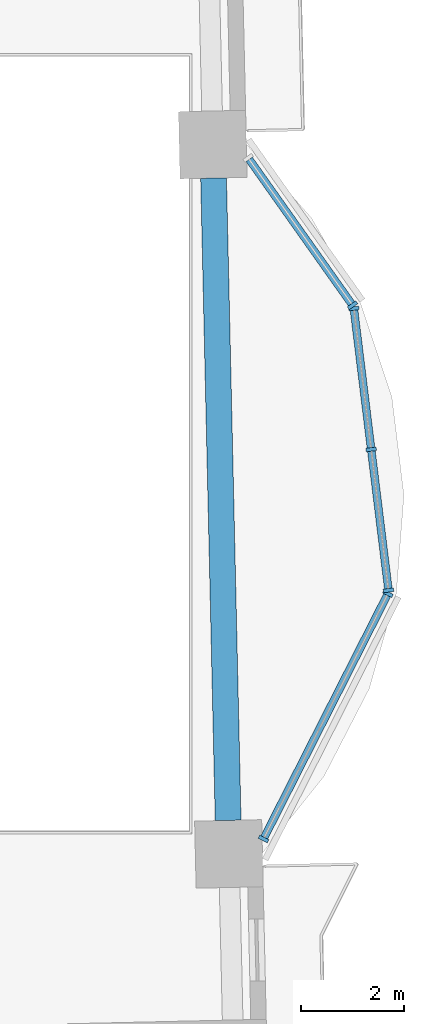
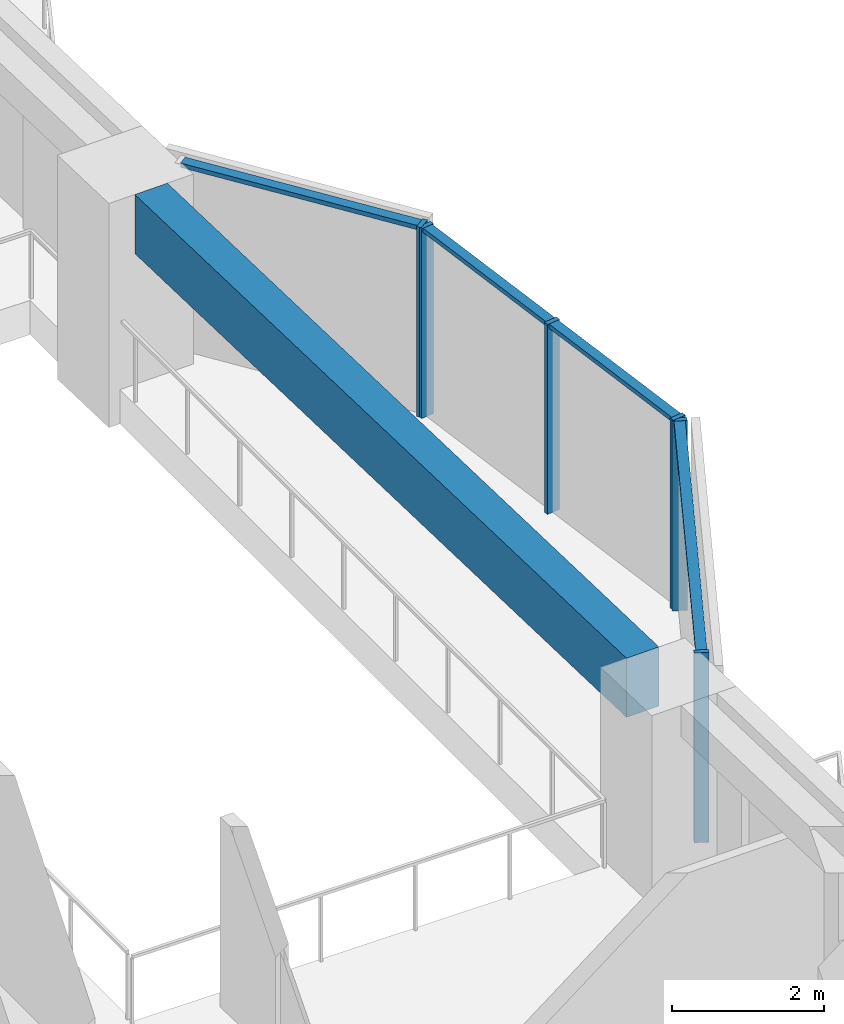
# One storey, part 2 of 16: 10 members, 1 beam, 3 elements without a shape of their own.
"""IFC4 building model written with IfcOpenShell, lengths in metres."""

from ifc_helpers import new_model, si_unit, direction, frame, origin, origin_2d, place, context, subcontext, project, spatial, rectangle, extrude, material, material_profile, profile_set, type_object, element, aggregate, save


model = new_model("IFC4")

# Units and contexts
model_context = context("Model", 3, precision=1e-05, world=origin(), true_north=direction((0.0, 1.0)))
body_context = subcontext(model_context, "Body", "Model", "MODEL_VIEW")
ifc_project = project(units=[si_unit("LENGTHUNIT", "METRE"), si_unit("AREAUNIT", "SQUARE_METRE"), si_unit("VOLUMEUNIT", "CUBIC_METRE"), si_unit("PLANEANGLEUNIT", "RADIAN"), si_unit("MASSUNIT", "GRAM", prefix="KILO")], contexts=[model_context])

# Site, building, storey
site_placement = place(None, origin())
site = spatial("IfcSite", under=ifc_project, at=site_placement, CompositionType="ELEMENT")
building_placement = place(site_placement, origin())
building = spatial("IfcBuilding", under=site, at=building_placement, Name="Mangrove Gate Tower", CompositionType="ELEMENT")
storey_placement = place(building_placement, frame((0.0, 0.0, 137.300048828125)))
storey = spatial("IfcBuildingStorey", under=building, at=storey_placement, Name="L34", CompositionType="ELEMENT", Elevation=137.300048828125)

# Curtain wall, members
ifc_material_1 = material(Name="Aluminium and glass curtain wall", Category="aluminium")
curtain_wall_type = type_object("IfcCurtainWallType", Name="Atrium garden-court glazing wall", PredefinedType="NOTDEFINED", material=ifc_material_1)
curtain_wall_1_placement = place(storey_placement, origin())
curtain_wall_1 = element("IfcCurtainWall", 1, at=curtain_wall_1_placement, inside=storey, type_object=curtain_wall_type, Name="Atrium garden-court glazing E1f1", PredefinedType="NOTDEFINED")
ifc_material_2 = material(Name="Aluminium alloy 6063-T6", Category="aluminium")
ifc_material_profile_1 = material_profile(ifc_material_2, rectangle(XDim=0.070068359375, YDim=0.199951171875, at=origin_2d()))
ifc_profile_set_1 = profile_set([ifc_material_profile_1], Name="Aluminium alloy 6063-T6")
member_type_1 = type_object("IfcMemberType", Name="Atrium garden-court glazing mullion 70x200", PredefinedType="MULLION", material=ifc_profile_set_1)
member_1_placement = place(storey_placement, frame((24.441162109375, -7.660400390625, 0.0), z_axis=(0.0, 0.0, 1.0), x_axis=(0.452614630938, 0.891706227331, 0.0)))
member_1 = element("IfcMember", 2, at=member_1_placement, type_object=member_type_1, Name="CWA mullion 1", PredefinedType="MULLION", context=body_context, shape_type="SweptSolid", body=[
    extrude(rectangle(XDim=0.070068359375, YDim=0.199951171875, at=origin_2d()), origin(), (0.0, 0.0, 1.0), 3.050048828125),
])
member_2_placement = place(storey_placement, frame((26.85302734375, -2.908935546875, 0.0), z_axis=(0.0, 0.0, 1.0), x_axis=(0.452614630938, 0.891706227331, 0.0)))
member_2 = element("IfcMember", 3, at=member_2_placement, type_object=member_type_1, Name="CWA mullion 2", PredefinedType="MULLION", context=body_context, shape_type="SweptSolid", body=[
    extrude(rectangle(XDim=0.070068359375, YDim=0.199951171875, at=origin_2d()), origin(), (0.0, 0.0, 1.0), 3.050048828125),
])

curtain_wall_2_placement = place(storey_placement, origin())
curtain_wall_2 = element("IfcCurtainWall", 4, at=curtain_wall_2_placement, inside=storey, type_object=curtain_wall_type, Name="Atrium garden-court glazing E1f2", PredefinedType="NOTDEFINED")
member_3_placement = place(storey_placement, frame((26.864501953125, -2.843017578125, 0.0), z_axis=(0.0, 0.0, 1.0), x_axis=(-0.122172285885, 0.992508908051, 0.0)))
member_3 = element("IfcMember", 5, at=member_3_placement, type_object=member_type_1, Name="CWA mullion 1", PredefinedType="MULLION", context=body_context, shape_type="SweptSolid", body=[
    extrude(rectangle(XDim=0.070068359375, YDim=0.199951171875, at=origin_2d()), origin(), (0.0, 0.0, 1.0), 3.050048828125),
])
member_4_placement = place(storey_placement, frame((26.5283203125, -0.112060546875, 0.0), z_axis=(0.0, 0.0, 1.0), x_axis=(-0.122172285885, 0.992508908051, 0.0)))
member_4 = element("IfcMember", 6, at=member_4_placement, type_object=member_type_1, Name="CWA mullion 2", PredefinedType="MULLION", context=body_context, shape_type="SweptSolid", body=[
    extrude(rectangle(XDim=0.070068359375, YDim=0.199951171875, at=origin_2d()), origin(), (0.0, 0.0, 1.0), 3.050048828125),
])
member_5_placement = place(storey_placement, frame((26.192138671875, 2.619140625, 0.0), z_axis=(0.0, 0.0, 1.0), x_axis=(-0.122172285885, 0.992508908051, 0.0)))
member_5 = element("IfcMember", 7, at=member_5_placement, type_object=member_type_1, Name="CWA mullion 3", PredefinedType="MULLION", context=body_context, shape_type="SweptSolid", body=[
    extrude(rectangle(XDim=0.070068359375, YDim=0.199951171875, at=origin_2d()), origin(), (0.0, 0.0, 1.0), 3.050048828125),
])

# Curtain wall, member
curtain_wall_3_placement = place(storey_placement, origin())
curtain_wall_3 = element("IfcCurtainWall", 8, at=curtain_wall_3_placement, inside=storey, type_object=curtain_wall_type, Name="Atrium garden-court glazing E1f3", PredefinedType="NOTDEFINED")
member_6_placement = place(storey_placement, frame((26.167724609375, 2.682373046875, 0.0), z_axis=(0.0, 0.0, 1.0), x_axis=(-0.578132252952, 0.815943072828, 0.0)))
member_6 = element("IfcMember", 9, at=member_6_placement, type_object=member_type_1, Name="CWA mullion 1", PredefinedType="MULLION", context=body_context, shape_type="SweptSolid", body=[
    extrude(rectangle(XDim=0.070068359375, YDim=0.199951171875, at=origin_2d()), origin(), (0.0, 0.0, 1.0), 3.050048828125),
])

# Member
ifc_material_3 = material(Name="Aluminium alloy 6063-T6", Category="aluminium")
ifc_material_profile_2 = material_profile(ifc_material_3, rectangle(XDim=0.070068359375, YDim=0.14990234375, at=origin_2d()))
ifc_profile_set_2 = profile_set([ifc_material_profile_2], Name="Aluminium alloy 6063-T6")
member_type_2 = type_object("IfcMemberType", Name="Atrium garden-court glazing transom 70x150", PredefinedType="USERDEFINED", material=ifc_profile_set_2)
member_7_placement = place(storey_placement, frame((24.45703125, -7.629150390625, 3.014892578125), z_axis=(0.452628185689, 0.891699347045, 0.0), x_axis=(0.0, 0.0, 1.0)))
member_7 = element("IfcMember", 10, at=member_7_placement, type_object=member_type_2, Name="CWA transom 1.2", ObjectType="TRANSOM", PredefinedType="USERDEFINED", context=body_context, shape_type="SweptSolid", body=[
    extrude(rectangle(XDim=0.070068359375, YDim=0.14990234375, at=origin_2d()), origin(), (0.0, 0.0, 1.0), 5.258544921875),
])

aggregate(curtain_wall_1, [member_1, member_2, member_7])

member_8_placement = place(storey_placement, frame((26.8603515625, -2.808349609375, 3.014892578125), z_axis=(-0.122174517154, 0.992508633392, 0.0), x_axis=(0.0, 0.0, 1.0)))
member_8 = element("IfcMember", 11, at=member_8_placement, type_object=member_type_2, Name="CWA transom 1.2", ObjectType="TRANSOM", PredefinedType="USERDEFINED", context=body_context, shape_type="SweptSolid", body=[
    extrude(rectangle(XDim=0.070068359375, YDim=0.14990234375, at=origin_2d()), origin(), (0.0, 0.0, 1.0), 2.681640625),
])

member_9_placement = place(storey_placement, frame((26.524169921875, -0.0771484375, 3.014892578125), z_axis=(-0.122174517154, 0.992508633392, 0.0), x_axis=(0.0, 0.0, 1.0)))
member_9 = element("IfcMember", 12, at=member_9_placement, type_object=member_type_2, Name="CWA transom 2.2", ObjectType="TRANSOM", PredefinedType="USERDEFINED", context=body_context, shape_type="SweptSolid", body=[
    extrude(rectangle(XDim=0.070068359375, YDim=0.14990234375, at=origin_2d()), origin(), (0.0, 0.0, 1.0), 2.681640625),
])

aggregate(curtain_wall_2, [member_3, member_4, member_5, member_8, member_9])

member_10_placement = place(storey_placement, frame((26.1474609375, 2.7109375, 3.014892578125), z_axis=(-0.578102277646, 0.81596431085, 0.0), x_axis=(0.0, 0.0, 1.0)))
member_10 = element("IfcMember", 13, at=member_10_placement, type_object=member_type_2, Name="CWA transom 1.2", ObjectType="TRANSOM", PredefinedType="USERDEFINED", context=body_context, shape_type="SweptSolid", body=[
    extrude(rectangle(XDim=0.070068359375, YDim=0.14990234375, at=origin_2d()), origin(), (0.0, 0.0, 1.0), 3.42919921875),
])

aggregate(curtain_wall_3, [member_6, member_10])

# Beam
ifc_material_4 = material(Name="Concrete C50/60", Category="concrete")
ifc_material_profile_3 = material_profile(ifc_material_4, rectangle(XDim=0.5, YDim=0.949951171875, at=origin_2d()))
ifc_profile_set_3 = profile_set([ifc_material_profile_3], Name="Concrete C50/60")
beam_type = type_object("IfcBeamType", Name="Edge beam RC 500x950 C50/60", PredefinedType="BEAM", material=ifc_profile_set_3)
beam_placement = place(storey_placement, frame((23.75634765625, -7.302001953125, 2.574951171875), z_axis=(-0.02268532922, 0.999742654806, 0.0), x_axis=(-0.999742654806, -0.02268532922, 0.0)))
element("IfcBeam", 14, at=beam_placement, inside=storey, type_object=beam_type, Name="Edge beam L34 14", PredefinedType="BEAM", context=body_context, shape_type="SweptSolid", body=[
    extrude(rectangle(XDim=0.5, YDim=0.949951171875, at=origin_2d()), origin(), (0.0, 0.0, 1.0), 12.45166015625),
])

save(model, "model.ifc")
